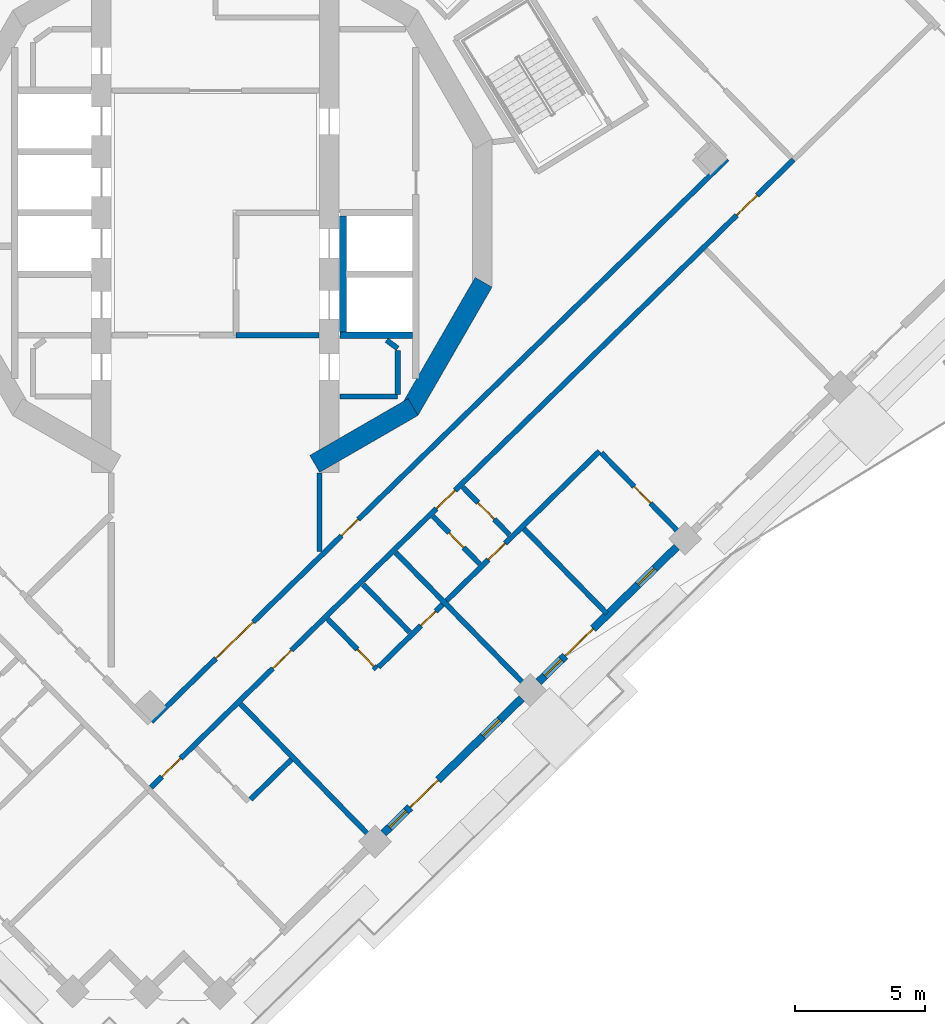
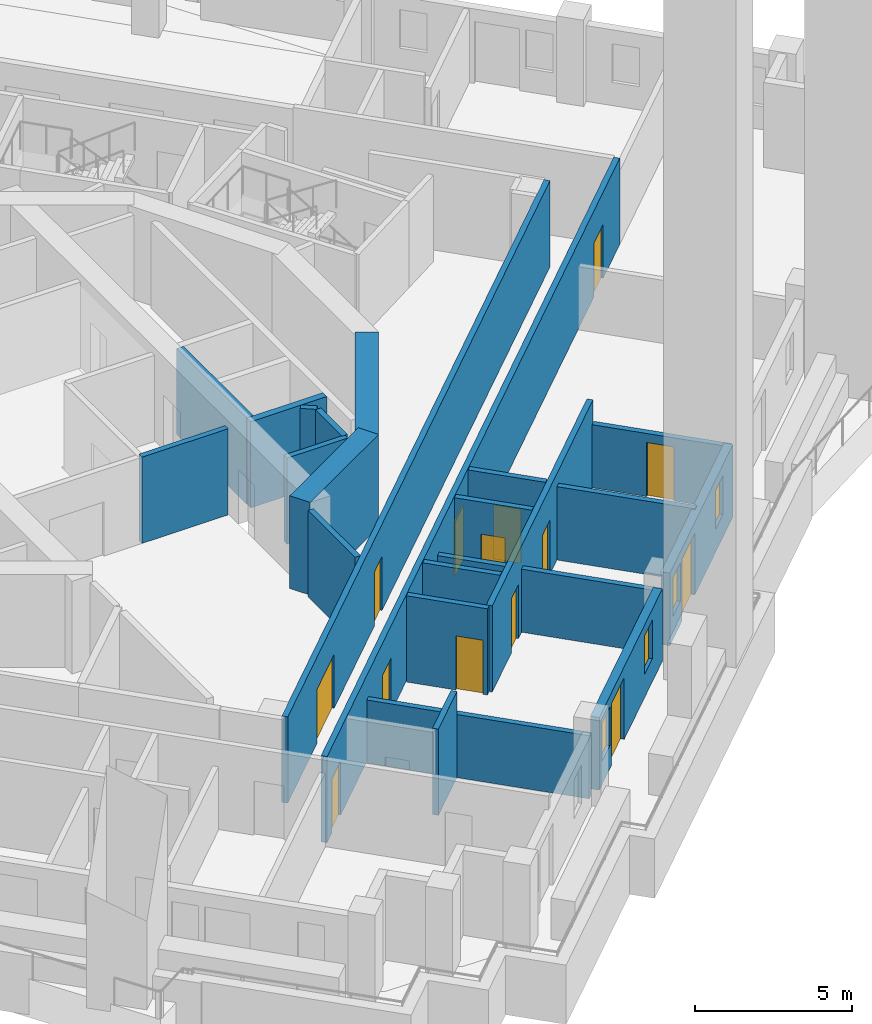
# One storey, part 5 of 17: 23 walls, 14 doors, 4 windows, 18 openings.
"""IFC4 building model written with IfcOpenShell, lengths in metres."""

from ifc_helpers import new_model, si_unit, direction, frame, frame_2d, origin, place, context, subcontext, project, spatial, rectangle, extrude, material, layer, layer_set, type_object, element, fill, save


model = new_model("IFC4")

# Units and contexts
model_context = context("Model", 3, precision=1e-05, world=origin(), true_north=direction((0.0, 1.0)))
body_context = subcontext(model_context, "Body", "Model", "MODEL_VIEW")
ifc_project = project(units=[si_unit("LENGTHUNIT", "METRE"), si_unit("AREAUNIT", "SQUARE_METRE"), si_unit("VOLUMEUNIT", "CUBIC_METRE"), si_unit("PLANEANGLEUNIT", "RADIAN"), si_unit("MASSUNIT", "GRAM", prefix="KILO")], contexts=[model_context])

# Site, building, storey
site_placement = place(None, origin())
site = spatial("IfcSite", under=ifc_project, at=site_placement, CompositionType="ELEMENT")
building_placement = place(site_placement, origin())
building = spatial("IfcBuilding", under=site, at=building_placement, Name="Cantera Rosa Tower", CompositionType="ELEMENT")
storey_placement = place(building_placement, frame((0.0, 0.0, 205.39990234375)))
storey = spatial("IfcBuildingStorey", under=building, at=storey_placement, Name="L43", CompositionType="ELEMENT", Elevation=205.39990234375)

# Wall, openings, doors
ifc_material_1 = material(Name="Gypsum board partition")
ifc_layer_1 = layer(ifc_material_1, 0.199951171875)
ifc_layer_set_1 = layer_set([ifc_layer_1], Name="CORRIDOR WALL 200 H3350")
wall_type_1 = type_object("IfcWallType", Name="CORRIDOR WALL 200 H3350", PredefinedType="PARTITIONING", material=ifc_layer_set_1)
wall_1_placement = place(storey_placement, frame((-2.469970703125, -22.0556640625, 0.0), z_axis=(0.0, 0.0, 1.0), x_axis=(0.715286619748, 0.698831203946, 0.0)))
wall_1 = element("IfcWall", 1, at=wall_1_placement, inside=storey, type_object=wall_type_1, Name="CORRIDOR WALL L43-062", PredefinedType="PARTITIONING", context=body_context, shape_type="SweptSolid", body=[
    extrude(rectangle(XDim=34.47998046875, YDim=0.199951171875, at=frame_2d((17.239990234375, 0.0))), origin(), (0.0, 0.0, 1.0), 3.35009765625),
])
opening_1_placement = place(wall_1_placement, frame((6.534912109375, 0.0, 0.0)))
opening_1 = element("IfcOpeningElement", 2, at=opening_1_placement, cuts=wall_1, Name="Opening L43-045", PredefinedType="OPENING", context=body_context, shape_type="SweptSolid", body=[
    extrude(rectangle(XDim=1.0, YDim=2.10009765625, at=frame_2d((0.5, 1.050048828125))), frame((0.0, 0.10986328125, 0.0), z_axis=(0.0, -1.0, 0.0), x_axis=(1.0, 0.0, 0.0)), (0.0, 0.0, 1.0), 0.219970703125),
])
opening_2_placement = place(wall_1_placement, frame((15.320068359375, 0.0, 0.0)))
opening_2 = element("IfcOpeningElement", 3, at=opening_2_placement, cuts=wall_1, Name="Opening L43-048", PredefinedType="OPENING", context=body_context, shape_type="SweptSolid", body=[
    extrude(rectangle(XDim=1.0, YDim=2.10009765625, at=frame_2d((0.5, 1.050048828125))), frame((0.0, 0.10986328125, 0.0), z_axis=(0.0, -1.0, 0.0), x_axis=(1.0, 0.0, 0.0)), (0.0, 0.0, 1.0), 0.219970703125),
])
opening_3_placement = place(wall_1_placement, frame((0.590087890625, 0.0, 0.0)))
opening_3 = element("IfcOpeningElement", 4, at=opening_3_placement, cuts=wall_1, Name="Opening L43-053", PredefinedType="OPENING", context=body_context, shape_type="SweptSolid", body=[
    extrude(rectangle(XDim=1.0, YDim=2.10009765625, at=frame_2d((0.5, 1.050048828125))), frame((0.0, 0.10986328125, 0.0), z_axis=(0.0, -1.0, 0.0), x_axis=(1.0, 0.0, 0.0)), (0.0, 0.0, 1.0), 0.219970703125),
])
opening_4_placement = place(wall_1_placement, frame((31.429931640625, 0.0, 0.0)))
opening_4 = element("IfcOpeningElement", 5, at=opening_4_placement, cuts=wall_1, Name="Opening L43-056", PredefinedType="OPENING", context=body_context, shape_type="SweptSolid", body=[
    extrude(rectangle(XDim=1.10009765625, YDim=2.10009765625, at=frame_2d((0.550048828125, 1.050048828125))), frame((0.0, 0.10986328125, 0.0), z_axis=(0.0, -1.0, 0.0), x_axis=(1.0, 0.0, 0.0)), (0.0, 0.0, 1.0), 0.219970703125),
])
ifc_material_2 = material(Name="Timber door leaf", Category="wood")
door_type_1 = type_object("IfcDoorType", Name="ENTRANCE DOOR 1000x2100", OperationType="NOTDEFINED", PredefinedType="DOOR", material=ifc_material_2)
door_1_placement = place(opening_1_placement, origin())
door_1 = element("IfcDoor", 6, at=door_1_placement, inside=storey, type_object=door_type_1, Name="DOOR L43-045", OperationType="NOTDEFINED", OverallHeight=2.10009765625, OverallWidth=1.0, PredefinedType="DOOR", context=body_context, shape_type="SweptSolid", body=[
    extrude(rectangle(XDim=1.0, YDim=2.10009765625, at=frame_2d((0.5, 1.050048828125))), frame((0.0, 0.02490234375, 0.0), z_axis=(0.0, -1.0, 0.0), x_axis=(1.0, 0.0, 0.0)), (0.0, 0.0, 1.0), 0.050048828125),
])
fill(opening_1, door_1)
door_2_placement = place(opening_2_placement, origin())
door_2 = element("IfcDoor", 7, at=door_2_placement, inside=storey, type_object=door_type_1, Name="DOOR L43-048", OperationType="NOTDEFINED", OverallHeight=2.10009765625, OverallWidth=1.0, PredefinedType="DOOR", context=body_context, shape_type="SweptSolid", body=[
    extrude(rectangle(XDim=1.0, YDim=2.10009765625, at=frame_2d((0.5, 1.050048828125))), frame((0.0, 0.02490234375, 0.0), z_axis=(0.0, -1.0, 0.0), x_axis=(1.0, 0.0, 0.0)), (0.0, 0.0, 1.0), 0.050048828125),
])
fill(opening_2, door_2)
door_3_placement = place(opening_3_placement, origin())
door_3 = element("IfcDoor", 8, at=door_3_placement, inside=storey, type_object=door_type_1, Name="DOOR L43-053", OperationType="NOTDEFINED", OverallHeight=2.10009765625, OverallWidth=1.0, PredefinedType="DOOR", context=body_context, shape_type="SweptSolid", body=[
    extrude(rectangle(XDim=1.0, YDim=2.10009765625, at=frame_2d((0.5, 1.050048828125))), frame((0.0, 0.02490234375, 0.0), z_axis=(0.0, -1.0, 0.0), x_axis=(1.0, 0.0, 0.0)), (0.0, 0.0, 1.0), 0.050048828125),
])
fill(opening_3, door_3)
ifc_material_3 = material(Name="Timber door leaf", Category="wood")
door_type_2 = type_object("IfcDoorType", Name="ROOM DOOR 1100x2100", OperationType="NOTDEFINED", PredefinedType="DOOR", material=ifc_material_3)
door_4_placement = place(opening_4_placement, origin())
door_4 = element("IfcDoor", 9, at=door_4_placement, inside=storey, type_object=door_type_2, Name="DOOR L43-056", OperationType="NOTDEFINED", OverallHeight=2.10009765625, OverallWidth=1.10009765625, PredefinedType="DOOR", context=body_context, shape_type="SweptSolid", body=[
    extrude(rectangle(XDim=1.10009765625, YDim=2.10009765625, at=frame_2d((0.550048828125, 1.050048828125))), frame((0.0, 0.02490234375, 0.0), z_axis=(0.0, -1.0, 0.0), x_axis=(1.0, 0.0, 0.0)), (0.0, 0.0, 1.0), 0.050048828125),
])
fill(opening_4, door_4)

wall_2_placement = place(storey_placement, frame((-2.45458984375, -19.5244140625, 0.0), z_axis=(0.0, 0.0, 1.0), x_axis=(0.715283867267, 0.698834021229, 0.0)))
wall_2 = element("IfcWall", 10, at=wall_2_placement, inside=storey, type_object=wall_type_1, Name="CORRIDOR WALL L43-063", PredefinedType="PARTITIONING", context=body_context, shape_type="SweptSolid", body=[
    extrude(rectangle(XDim=30.900146484375, YDim=0.199951171875, at=frame_2d((15.4501953125, 0.0))), origin(), (0.0, 0.0, 1.0), 3.35009765625),
])
opening_5_placement = place(wall_2_placement, frame((10.20458984375, 0.0, 0.0)))
opening_5 = element("IfcOpeningElement", 11, at=opening_5_placement, cuts=wall_2, Name="Opening L43-011", PredefinedType="OPENING", context=body_context, shape_type="SweptSolid", body=[
    extrude(rectangle(XDim=0.89990234375, YDim=2.10009765625, at=frame_2d((0.449951171875, 1.050048828125))), frame((0.0, 0.10986328125, 0.0), z_axis=(0.0, -1.0, 0.0), x_axis=(1.0, 0.0, 0.0)), (0.0, 0.0, 1.0), 0.219970703125),
])
opening_6_placement = place(wall_2_placement, frame((3.4619140625, 0.0, 0.0)))
opening_6 = element("IfcOpeningElement", 12, at=opening_6_placement, cuts=wall_2, Name="Opening L43-014", PredefinedType="OPENING", context=body_context, shape_type="SweptSolid", body=[
    extrude(rectangle(XDim=2.0, YDim=2.10009765625, at=frame_2d((1.0, 1.050048828125))), frame((0.0, 0.10986328125, 0.0), z_axis=(0.0, -1.0, 0.0), x_axis=(1.0, 0.0, 0.0)), (0.0, 0.0, 1.0), 0.219970703125),
])
ifc_material_4 = material(Name="Steel S355J2 (EN 10025-2)", Category="steel")
door_type_3 = type_object("IfcDoorType", Name="LOBBY SCREEN DOOR 2000x2100", OperationType="NOTDEFINED", PredefinedType="DOOR", material=ifc_material_4)
door_5_placement = place(opening_6_placement, origin())
door_5 = element("IfcDoor", 13, at=door_5_placement, inside=storey, type_object=door_type_3, Name="DOOR L43-014", OperationType="NOTDEFINED", OverallHeight=2.10009765625, OverallWidth=2.0, PredefinedType="DOOR", context=body_context, shape_type="SweptSolid", body=[
    extrude(rectangle(XDim=2.0, YDim=2.10009765625, at=frame_2d((1.0, 1.050048828125))), frame((0.0, 0.02490234375, 0.0), z_axis=(0.0, -1.0, 0.0), x_axis=(1.0, 0.0, 0.0)), (0.0, 0.0, 1.0), 0.050048828125),
])
fill(opening_6, door_5)
ifc_material_5 = material(Name="Timber door leaf", Category="wood")
door_type_4 = type_object("IfcDoorType", Name="SERVICE DOOR 900x2100", OperationType="NOTDEFINED", PredefinedType="DOOR", material=ifc_material_5)
door_6_placement = place(opening_5_placement, origin())
door_6 = element("IfcDoor", 14, at=door_6_placement, inside=storey, type_object=door_type_4, Name="DOOR L43-011", OperationType="NOTDEFINED", OverallHeight=2.10009765625, OverallWidth=0.89990234375, PredefinedType="DOOR", context=body_context, shape_type="SweptSolid", body=[
    extrude(rectangle(XDim=0.89990234375, YDim=2.10009765625, at=frame_2d((0.449951171875, 1.050048828125))), frame((0.0, 0.02490234375, 0.0), z_axis=(0.0, -1.0, 0.0), x_axis=(1.0, 0.0, 0.0)), (0.0, 0.0, 1.0), 0.050048828125),
])
fill(opening_5, door_6)

# Wall
wall_3_placement = place(storey_placement, frame((4.0, -12.998046875, 0.0), z_axis=(0.0, 0.0, 1.0), x_axis=(0.0, 1.0, 0.0)))
element("IfcWall", 15, at=wall_3_placement, inside=storey, type_object=wall_type_1, Name="CORRIDOR WALL L43-078", PredefinedType="PARTITIONING", context=body_context, shape_type="SweptSolid", body=[
    extrude(rectangle(XDim=3.00390625, YDim=0.199951171875, at=frame_2d((1.501953125, 0.0))), origin(), (0.0, 0.0, 1.0), 3.35009765625),
])

# Wall, openings, windows, door
ifc_material_6 = material(Name="Hollow clay masonry with cantera stone cladding", Category="masonry")
ifc_layer_2 = layer(ifc_material_6, 0.300048828125)
ifc_layer_set_2 = layer_set([ifc_layer_2], Name="EW-LOGGIA 300 H2820")
wall_type_2 = type_object("IfcWallType", Name="EW-LOGGIA 300 H2820", PredefinedType="SOLIDWALL", material=ifc_layer_set_2)
wall_4_placement = place(storey_placement, frame((6.454833984375, -23.8212890625, 0.0), z_axis=(0.0, 0.0, 1.0), x_axis=(0.715300826176, 0.698816662703, 0.0)))
wall_4 = element("IfcWall", 16, at=wall_4_placement, inside=storey, type_object=wall_type_2, Name="EN-L43-W22", PredefinedType="SOLIDWALL", context=body_context, shape_type="SweptSolid", body=[
    extrude(rectangle(XDim=7.420166015625, YDim=0.300048828125, at=frame_2d((3.7099609375, 0.0))), origin(), (0.0, 0.0, 1.0), 2.820068359375),
])
opening_7_placement = place(wall_4_placement, frame((0.330078125, 0.0, 0.89990234375)))
opening_7 = element("IfcOpeningElement", 17, at=opening_7_placement, cuts=wall_4, Name="Opening L43-W40", PredefinedType="OPENING", context=body_context, shape_type="SweptSolid", body=[
    extrude(rectangle(XDim=0.89990234375, YDim=1.5, at=frame_2d((0.449951171875, 0.75))), frame((0.0, 0.159912109375, 0.0), z_axis=(0.0, -1.0, 0.0), x_axis=(1.0, 0.0, 0.0)), (0.0, 0.0, 1.0), 0.320068359375),
])
opening_8_placement = place(wall_4_placement, frame((1.429931640625, 0.0, 0.0)))
opening_8 = element("IfcOpeningElement", 18, at=opening_8_placement, cuts=wall_4, Name="Opening L43-TD41", PredefinedType="OPENING", context=body_context, shape_type="SweptSolid", body=[
    extrude(rectangle(XDim=1.5, YDim=2.39990234375, at=frame_2d((0.75, 1.199951171875))), frame((0.0, 0.159912109375, 0.0), z_axis=(0.0, -1.0, 0.0), x_axis=(1.0, 0.0, 0.0)), (0.0, 0.0, 1.0), 0.320068359375),
])
opening_9_placement = place(wall_4_placement, frame((5.340087890625, 0.0, 0.89990234375)))
opening_9 = element("IfcOpeningElement", 19, at=opening_9_placement, cuts=wall_4, Name="Opening L43-W42", PredefinedType="OPENING", context=body_context, shape_type="SweptSolid", body=[
    extrude(rectangle(XDim=0.89990234375, YDim=1.5, at=frame_2d((0.449951171875, 0.75))), frame((0.0, 0.159912109375, 0.0), z_axis=(0.0, -1.0, 0.0), x_axis=(1.0, 0.0, 0.0)), (0.0, 0.0, 1.0), 0.320068359375),
])
ifc_material_7 = material(Name="Aluminium frame with clear glass", Category="aluminium")
window_type = type_object("IfcWindowType", Name="Residential window 900x1500", PartitioningType="SINGLE_PANEL", PredefinedType="WINDOW", material=ifc_material_7)
window_1_placement = place(opening_7_placement, origin())
window_1 = element("IfcWindow", 20, at=window_1_placement, inside=storey, type_object=window_type, Name="WINDOW L43-W40", OverallHeight=1.5, OverallWidth=0.89990234375, PartitioningType="SINGLE_PANEL", PredefinedType="WINDOW", context=body_context, shape_type="SweptSolid", body=[
    extrude(rectangle(XDim=0.89990234375, YDim=1.5, at=frame_2d((0.449951171875, 0.75))), frame((0.0, 0.030029296875, 0.0), z_axis=(0.0, -1.0, 0.0), x_axis=(1.0, 0.0, 0.0)), (0.0, 0.0, 1.0), 0.06005859375),
])
fill(opening_7, window_1)
window_2_placement = place(opening_9_placement, origin())
window_2 = element("IfcWindow", 21, at=window_2_placement, inside=storey, type_object=window_type, Name="WINDOW L43-W42", OverallHeight=1.5, OverallWidth=0.89990234375, PartitioningType="SINGLE_PANEL", PredefinedType="WINDOW", context=body_context, shape_type="SweptSolid", body=[
    extrude(rectangle(XDim=0.89990234375, YDim=1.5, at=frame_2d((0.449951171875, 0.75))), frame((0.0, 0.030029296875, 0.0), z_axis=(0.0, -1.0, 0.0), x_axis=(1.0, 0.0, 0.0)), (0.0, 0.0, 1.0), 0.06005859375),
])
fill(opening_9, window_2)
ifc_material_8 = material(Name="Aluminium frame with clear glass", Category="aluminium")
door_type_5 = type_object("IfcDoorType", Name="TD-R 1500x2400", OperationType="NOTDEFINED", PredefinedType="DOOR", material=ifc_material_8)
door_7_placement = place(opening_8_placement, origin())
door_7 = element("IfcDoor", 22, at=door_7_placement, inside=storey, type_object=door_type_5, Name="LOGGIA DOOR L43-TD41", OperationType="SLIDING_TO_LEFT", OverallHeight=2.39990234375, OverallWidth=1.5, PredefinedType="DOOR", context=body_context, shape_type="SweptSolid", body=[
    extrude(rectangle(XDim=1.5, YDim=2.39990234375, at=frame_2d((0.75, 1.199951171875))), frame((0.0, 0.02490234375, 0.0), z_axis=(0.0, -1.0, 0.0), x_axis=(1.0, 0.0, 0.0)), (0.0, 0.0, 1.0), 0.050048828125),
])
fill(opening_8, door_7)

wall_5_placement = place(storey_placement, frame((12.406005859375, -18.007080078125, 0.0), z_axis=(0.0, 0.0, 1.0), x_axis=(0.715300826176, 0.698816662703, 0.0)))
wall_5 = element("IfcWall", 23, at=wall_5_placement, inside=storey, type_object=wall_type_2, Name="EN-L43-W23", PredefinedType="SOLIDWALL", context=body_context, shape_type="SweptSolid", body=[
    extrude(rectangle(XDim=7.420166015625, YDim=0.300048828125, at=frame_2d((3.7099609375, 0.0))), origin(), (0.0, 0.0, 1.0), 2.820068359375),
])
opening_10_placement = place(wall_5_placement, frame((0.330078125, 0.0, 0.89990234375)))
opening_10 = element("IfcOpeningElement", 24, at=opening_10_placement, cuts=wall_5, Name="Opening L43-W43", PredefinedType="OPENING", context=body_context, shape_type="SweptSolid", body=[
    extrude(rectangle(XDim=0.89990234375, YDim=1.5, at=frame_2d((0.449951171875, 0.75))), frame((0.0, 0.159912109375, 0.0), z_axis=(0.0, -1.0, 0.0), x_axis=(1.0, 0.0, 0.0)), (0.0, 0.0, 1.0), 0.320068359375),
])
opening_11_placement = place(wall_5_placement, frame((1.429931640625, 0.0, 0.0)))
opening_11 = element("IfcOpeningElement", 25, at=opening_11_placement, cuts=wall_5, Name="Opening L43-TD44", PredefinedType="OPENING", context=body_context, shape_type="SweptSolid", body=[
    extrude(rectangle(XDim=1.5, YDim=2.39990234375, at=frame_2d((0.75, 1.199951171875))), frame((0.0, 0.159912109375, 0.0), z_axis=(0.0, -1.0, 0.0), x_axis=(1.0, 0.0, 0.0)), (0.0, 0.0, 1.0), 0.320068359375),
])
opening_12_placement = place(wall_5_placement, frame((5.340087890625, 0.0, 0.89990234375)))
opening_12 = element("IfcOpeningElement", 26, at=opening_12_placement, cuts=wall_5, Name="Opening L43-W45", PredefinedType="OPENING", context=body_context, shape_type="SweptSolid", body=[
    extrude(rectangle(XDim=0.89990234375, YDim=1.5, at=frame_2d((0.449951171875, 0.75))), frame((0.0, 0.159912109375, 0.0), z_axis=(0.0, -1.0, 0.0), x_axis=(1.0, 0.0, 0.0)), (0.0, 0.0, 1.0), 0.320068359375),
])
window_3_placement = place(opening_10_placement, origin())
window_3 = element("IfcWindow", 27, at=window_3_placement, inside=storey, type_object=window_type, Name="WINDOW L43-W43", OverallHeight=1.5, OverallWidth=0.89990234375, PartitioningType="SINGLE_PANEL", PredefinedType="WINDOW", context=body_context, shape_type="SweptSolid", body=[
    extrude(rectangle(XDim=0.89990234375, YDim=1.5, at=frame_2d((0.449951171875, 0.75))), frame((0.0, 0.030029296875, 0.0), z_axis=(0.0, -1.0, 0.0), x_axis=(1.0, 0.0, 0.0)), (0.0, 0.0, 1.0), 0.06005859375),
])
fill(opening_10, window_3)
window_4_placement = place(opening_12_placement, origin())
window_4 = element("IfcWindow", 28, at=window_4_placement, inside=storey, type_object=window_type, Name="WINDOW L43-W45", OverallHeight=1.5, OverallWidth=0.89990234375, PartitioningType="SINGLE_PANEL", PredefinedType="WINDOW", context=body_context, shape_type="SweptSolid", body=[
    extrude(rectangle(XDim=0.89990234375, YDim=1.5, at=frame_2d((0.449951171875, 0.75))), frame((0.0, 0.030029296875, 0.0), z_axis=(0.0, -1.0, 0.0), x_axis=(1.0, 0.0, 0.0)), (0.0, 0.0, 1.0), 0.06005859375),
])
fill(opening_12, window_4)
door_8_placement = place(opening_11_placement, origin())
door_8 = element("IfcDoor", 29, at=door_8_placement, inside=storey, type_object=door_type_5, Name="LOGGIA DOOR L43-TD44", OperationType="SLIDING_TO_LEFT", OverallHeight=2.39990234375, OverallWidth=1.5, PredefinedType="DOOR", context=body_context, shape_type="SweptSolid", body=[
    extrude(rectangle(XDim=1.5, YDim=2.39990234375, at=frame_2d((0.75, 1.199951171875))), frame((0.0, 0.02490234375, 0.0), z_axis=(0.0, -1.0, 0.0), x_axis=(1.0, 0.0, 0.0)), (0.0, 0.0, 1.0), 0.050048828125),
])
fill(opening_11, door_8)

# Wall, opening, door
ifc_material_9 = material(Name="Gypsum board partition")
ifc_layer_3 = layer(ifc_material_9, 0.199951171875)
ifc_layer_set_3 = layer_set([ifc_layer_3], Name="PARTITION 200 H2450")
wall_type_3 = type_object("IfcWallType", Name="PARTITION 200 H2450", PredefinedType="PARTITIONING", material=ifc_layer_set_3)
wall_6_placement = place(storey_placement, frame((14.82080078125, -9.217041015625, 0.0), z_axis=(0.0, 0.0, 1.0), x_axis=(0.698831711541, -0.71528612383, 0.0)))
wall_6 = element("IfcWall", 30, at=wall_6_placement, inside=storey, type_object=wall_type_3, Name="PARTITION L43-113", PredefinedType="PARTITIONING", context=body_context, shape_type="SweptSolid", body=[
    extrude(rectangle(XDim=4.56982421875, YDim=0.199951171875, at=frame_2d((2.284912109375, 0.0))), origin(), (0.0, 0.0, 1.0), 2.4501953125),
])
opening_13_placement = place(wall_6_placement, frame((1.800048828125, 0.0, 0.0)))
opening_13 = element("IfcOpeningElement", 31, at=opening_13_placement, cuts=wall_6, Name="Opening L43-052", PredefinedType="OPENING", context=body_context, shape_type="SweptSolid", body=[
    extrude(rectangle(XDim=0.89990234375, YDim=2.10009765625, at=frame_2d((0.449951171875, 1.050048828125))), frame((0.0, 0.10986328125, 0.0), z_axis=(0.0, -1.0, 0.0), x_axis=(1.0, 0.0, 0.0)), (0.0, 0.0, 1.0), 0.219970703125),
])
ifc_material_10 = material(Name="Timber door leaf", Category="wood")
door_type_6 = type_object("IfcDoorType", Name="ROOM DOOR 900x2100", OperationType="NOTDEFINED", PredefinedType="DOOR", material=ifc_material_10)
door_9_placement = place(opening_13_placement, origin())
door_9 = element("IfcDoor", 32, at=door_9_placement, inside=storey, type_object=door_type_6, Name="DOOR L43-052", OperationType="NOTDEFINED", OverallHeight=2.10009765625, OverallWidth=0.89990234375, PredefinedType="DOOR", context=body_context, shape_type="SweptSolid", body=[
    extrude(rectangle(XDim=0.89990234375, YDim=2.10009765625, at=frame_2d((0.449951171875, 1.050048828125))), frame((0.0, 0.02490234375, 0.0), z_axis=(0.0, -1.0, 0.0), x_axis=(1.0, 0.0, 0.0)), (0.0, 0.0, 1.0), 0.050048828125),
])
fill(opening_13, door_9)

# Walls
ifc_material_11 = material(Name="Gypsum board partition")
ifc_layer_4 = layer(ifc_material_11, 0.199951171875)
ifc_layer_set_4 = layer_set([ifc_layer_4], Name="PARTITION 200 H2850")
wall_type_4 = type_object("IfcWallType", Name="PARTITION 200 H2850", PredefinedType="PARTITIONING", material=ifc_layer_set_4)
wall_7_placement = place(storey_placement, frame((11.84521484375, -12.1240234375, 0.0), z_axis=(0.0, 0.0, 1.0), x_axis=(0.698805007599, -0.715312212502, 0.0)))
element("IfcWall", 33, at=wall_7_placement, inside=storey, type_object=wall_type_4, Name="PARTITION L43-107", PredefinedType="PARTITIONING", context=body_context, shape_type="SweptSolid", body=[
    extrude(rectangle(XDim=4.570068359375, YDim=0.199951171875, at=frame_2d((2.28515625, 0.0))), origin(), (0.0, 0.0, 1.0), 2.85009765625),
])
ifc_material_12 = material(Name="Gypsum board partition")
ifc_layer_5 = layer(ifc_material_12, 0.199951171875)
ifc_layer_set_5 = layer_set([ifc_layer_5], Name="PARTITION 200 H3350")
wall_type_5 = type_object("IfcWallType", Name="PARTITION 200 H3350", PredefinedType="PARTITIONING", material=ifc_layer_set_5)
wall_8_placement = place(storey_placement, frame((2.916748046875, -20.98681640625, 0.0), z_axis=(0.0, 0.0, 1.0), x_axis=(-0.715234272025, -0.69888478029, 0.0)))
element("IfcWall", 34, at=wall_8_placement, inside=storey, type_object=wall_type_5, Name="PARTITION L43-076", PredefinedType="PARTITIONING", context=body_context, shape_type="SweptSolid", body=[
    extrude(rectangle(XDim=2.18017578125, YDim=0.199951171875, at=frame_2d((1.090087890625, 0.0))), origin(), (0.0, 0.0, 1.0), 3.35009765625),
])

# Wall, opening, door
wall_9_placement = place(storey_placement, frame((6.18896484375, -17.510498046875, 0.0), z_axis=(0.0, 0.0, 1.0), x_axis=(-0.698814330011, 0.715303105104, 0.0)))
wall_9 = element("IfcWall", 35, at=wall_9_placement, inside=storey, type_object=wall_type_5, Name="PARTITION L43-087", PredefinedType="PARTITIONING", context=body_context, shape_type="SweptSolid", body=[
    extrude(rectangle(XDim=2.679931640625, YDim=0.199951171875, at=frame_2d((1.33984375, 0.0))), origin(), (0.0, 0.0, 1.0), 3.35009765625),
])
opening_14_placement = place(wall_9_placement, frame((0.14990234375, 0.0, 0.0)))
opening_14 = element("IfcOpeningElement", 36, at=opening_14_placement, cuts=wall_9, Name="Opening L43-047", PredefinedType="OPENING", context=body_context, shape_type="SweptSolid", body=[
    extrude(rectangle(XDim=0.89990234375, YDim=2.10009765625, at=frame_2d((0.449951171875, 1.050048828125))), frame((0.0, 0.10986328125, 0.0), z_axis=(0.0, -1.0, 0.0), x_axis=(1.0, 0.0, 0.0)), (0.0, 0.0, 1.0), 0.219970703125),
])
door_10_placement = place(opening_14_placement, origin())
door_10 = element("IfcDoor", 37, at=door_10_placement, inside=storey, type_object=door_type_6, Name="DOOR L43-047", OperationType="NOTDEFINED", OverallHeight=2.10009765625, OverallWidth=0.89990234375, PredefinedType="DOOR", context=body_context, shape_type="SweptSolid", body=[
    extrude(rectangle(XDim=0.89990234375, YDim=2.10009765625, at=frame_2d((0.449951171875, 1.050048828125))), frame((0.0, 0.02490234375, 0.0), z_axis=(0.0, -1.0, 0.0), x_axis=(1.0, 0.0, 0.0)), (0.0, 0.0, 1.0), 0.050048828125),
])
fill(opening_14, door_10)

# Walls
wall_10_placement = place(storey_placement, frame((6.572509765625, -4.888427734375, 0.0), z_axis=(0.0, 0.0, 1.0), x_axis=(0.808176867567, -0.588939853236, 0.0)))
element("IfcWall", 38, at=wall_10_placement, inside=storey, type_object=wall_type_5, Name="PARTITION L43-088", PredefinedType="PARTITIONING", context=body_context, shape_type="SweptSolid", body=[
    extrude(rectangle(XDim=0.529052734375, YDim=0.199951171875, at=frame_2d((0.2646484375, 0.0))), origin(), (0.0, 0.0, 1.0), 3.35009765625),
])
wall_11_placement = place(storey_placement, frame((7.0, -7.050048828125, 0.0), z_axis=(0.0, 0.0, 1.0), x_axis=(-1.0, 0.0, 0.0)))
element("IfcWall", 39, at=wall_11_placement, inside=storey, type_object=wall_type_5, Name="PARTITION L43-091", PredefinedType="PARTITIONING", context=body_context, shape_type="SweptSolid", body=[
    extrude(rectangle(XDim=2.219970703125, YDim=0.199951171875, at=frame_2d((1.10986328125, 0.0))), origin(), (0.0, 0.0, 1.0), 3.35009765625),
])
wall_12_placement = place(storey_placement, frame((7.0, -5.280029296875, 0.0), z_axis=(0.0, 0.0, 1.0), x_axis=(0.0, -1.0, 0.0)))
element("IfcWall", 40, at=wall_12_placement, inside=storey, type_object=wall_type_5, Name="PARTITION L43-092", PredefinedType="PARTITIONING", context=body_context, shape_type="SweptSolid", body=[
    extrude(rectangle(XDim=1.68994140625, YDim=0.199951171875, at=frame_2d((0.844970703125, 0.0))), origin(), (0.0, 0.0, 1.0), 3.35009765625),
])
wall_13_placement = place(storey_placement, frame((7.464111328125, -16.0966796875, 0.0), z_axis=(0.0, 0.0, 1.0), x_axis=(-0.698857556493, 0.715260872502, 0.0)))
element("IfcWall", 41, at=wall_13_placement, inside=storey, type_object=wall_type_5, Name="PARTITION L43-095", PredefinedType="PARTITIONING", context=body_context, shape_type="SweptSolid", body=[
    extrude(rectangle(XDim=2.56005859375, YDim=0.199951171875, at=frame_2d((1.280029296875, 0.0))), origin(), (0.0, 0.0, 1.0), 3.35009765625),
])

# Wall, opening, door
wall_14_placement = place(storey_placement, frame((8.357421875, -11.64501953125, 0.0), z_axis=(0.0, 0.0, 1.0), x_axis=(0.698809886965, -0.715307445705, 0.0)))
wall_14 = element("IfcWall", 42, at=wall_14_placement, inside=storey, type_object=wall_type_5, Name="PARTITION L43-099", PredefinedType="PARTITIONING", context=body_context, shape_type="SweptSolid", body=[
    extrude(rectangle(XDim=2.56005859375, YDim=0.199951171875, at=frame_2d((1.280029296875, 0.0))), origin(), (0.0, 0.0, 1.0), 3.35009765625),
])
opening_15_placement = place(wall_14_placement, frame((0.8798828125, 0.0, 0.0)))
opening_15 = element("IfcOpeningElement", 43, at=opening_15_placement, cuts=wall_14, Name="Opening L43-049", PredefinedType="OPENING", context=body_context, shape_type="SweptSolid", body=[
    extrude(rectangle(XDim=0.800048828125, YDim=2.10009765625, at=frame_2d((0.39990234375, 1.050048828125))), frame((0.0, 0.10986328125, 0.0), z_axis=(0.0, -1.0, 0.0), x_axis=(1.0, 0.0, 0.0)), (0.0, 0.0, 1.0), 0.219970703125),
])
ifc_material_13 = material(Name="Timber door leaf", Category="wood")
door_type_7 = type_object("IfcDoorType", Name="BATHROOM DOOR 800x2100", OperationType="NOTDEFINED", PredefinedType="DOOR", material=ifc_material_13)
door_11_placement = place(opening_15_placement, origin())
door_11 = element("IfcDoor", 44, at=door_11_placement, inside=storey, type_object=door_type_7, Name="DOOR L43-049", OperationType="NOTDEFINED", OverallHeight=2.10009765625, OverallWidth=0.800048828125, PredefinedType="DOOR", context=body_context, shape_type="SweptSolid", body=[
    extrude(rectangle(XDim=0.800048828125, YDim=2.10009765625, at=frame_2d((0.39990234375, 1.050048828125))), frame((0.0, 0.02490234375, 0.0), z_axis=(0.0, -1.0, 0.0), x_axis=(1.0, 0.0, 0.0)), (0.0, 0.0, 1.0), 0.050048828125),
])
fill(opening_15, door_11)

wall_15_placement = place(storey_placement, frame((9.501953125, -10.527099609375, 0.0), z_axis=(0.0, 0.0, 1.0), x_axis=(0.698857556493, -0.715260872502, 0.0)))
wall_15 = element("IfcWall", 45, at=wall_15_placement, inside=storey, type_object=wall_type_5, Name="PARTITION L43-102", PredefinedType="PARTITIONING", context=body_context, shape_type="SweptSolid", body=[
    extrude(rectangle(XDim=2.56005859375, YDim=0.199951171875, at=frame_2d((1.280029296875, 0.0))), origin(), (0.0, 0.0, 1.0), 3.35009765625),
])
opening_16_placement = place(wall_15_placement, frame((0.830078125, 0.0, 0.0)))
opening_16 = element("IfcOpeningElement", 46, at=opening_16_placement, cuts=wall_15, Name="Opening L43-050", PredefinedType="OPENING", context=body_context, shape_type="SweptSolid", body=[
    extrude(rectangle(XDim=0.89990234375, YDim=2.10009765625, at=frame_2d((0.449951171875, 1.050048828125))), frame((0.0, 0.10986328125, 0.0), z_axis=(0.0, -1.0, 0.0), x_axis=(1.0, 0.0, 0.0)), (0.0, 0.0, 1.0), 0.219970703125),
])
door_12_placement = place(opening_16_placement, origin())
door_12 = element("IfcDoor", 47, at=door_12_placement, inside=storey, type_object=door_type_6, Name="DOOR L43-050", OperationType="NOTDEFINED", OverallHeight=2.10009765625, OverallWidth=0.89990234375, PredefinedType="DOOR", context=body_context, shape_type="SweptSolid", body=[
    extrude(rectangle(XDim=0.89990234375, YDim=2.10009765625, at=frame_2d((0.449951171875, 1.050048828125))), frame((0.0, 0.02490234375, 0.0), z_axis=(0.0, -1.0, 0.0), x_axis=(1.0, 0.0, 0.0)), (0.0, 0.0, 1.0), 0.050048828125),
])
fill(opening_16, door_12)

# Wall, openings, doors
wall_16_placement = place(storey_placement, frame((14.7509765625, -9.1455078125, 0.0), z_axis=(0.0, 0.0, 1.0), x_axis=(-0.715286034757, -0.698831802712, 0.0)))
wall_16 = element("IfcWall", 48, at=wall_16_placement, inside=storey, type_object=wall_type_5, Name="PARTITION L43-112", PredefinedType="PARTITIONING", context=body_context, shape_type="SweptSolid", body=[
    extrude(rectangle(XDim=11.8701171875, YDim=0.199951171875, at=frame_2d((5.93505859375, 0.0))), origin(), (0.0, 0.0, 1.0), 3.35009765625),
])
opening_17_placement = place(wall_16_placement, frame((8.794921875, 0.0, 0.0)))
opening_17 = element("IfcOpeningElement", 49, at=opening_17_placement, cuts=wall_16, Name="Opening L43-046", PredefinedType="OPENING", context=body_context, shape_type="SweptSolid", body=[
    extrude(rectangle(XDim=0.800048828125, YDim=2.10009765625, at=frame_2d((0.39990234375, 1.050048828125))), frame((0.0, 0.10986328125, 0.0), z_axis=(0.0, -1.0, 0.0), x_axis=(1.0, 0.0, 0.0)), (0.0, 0.0, 1.0), 0.219970703125),
])
opening_18_placement = place(wall_16_placement, frame((5.070068359375, 0.0, 0.0)))
opening_18 = element("IfcOpeningElement", 50, at=opening_18_placement, cuts=wall_16, Name="Opening L43-051", PredefinedType="OPENING", context=body_context, shape_type="SweptSolid", body=[
    extrude(rectangle(XDim=0.89990234375, YDim=2.10009765625, at=frame_2d((0.449951171875, 1.050048828125))), frame((0.0, 0.10986328125, 0.0), z_axis=(0.0, -1.0, 0.0), x_axis=(1.0, 0.0, 0.0)), (0.0, 0.0, 1.0), 0.219970703125),
])
door_13_placement = place(opening_17_placement, origin())
door_13 = element("IfcDoor", 51, at=door_13_placement, inside=storey, type_object=door_type_7, Name="DOOR L43-046", OperationType="NOTDEFINED", OverallHeight=2.10009765625, OverallWidth=0.800048828125, PredefinedType="DOOR", context=body_context, shape_type="SweptSolid", body=[
    extrude(rectangle(XDim=0.800048828125, YDim=2.10009765625, at=frame_2d((0.39990234375, 1.050048828125))), frame((0.0, 0.02490234375, 0.0), z_axis=(0.0, -1.0, 0.0), x_axis=(1.0, 0.0, 0.0)), (0.0, 0.0, 1.0), 0.050048828125),
])
fill(opening_17, door_13)
door_14_placement = place(opening_18_placement, origin())
door_14 = element("IfcDoor", 52, at=door_14_placement, inside=storey, type_object=door_type_6, Name="DOOR L43-051", OperationType="NOTDEFINED", OverallHeight=2.10009765625, OverallWidth=0.89990234375, PredefinedType="DOOR", context=body_context, shape_type="SweptSolid", body=[
    extrude(rectangle(XDim=0.89990234375, YDim=2.10009765625, at=frame_2d((0.449951171875, 1.050048828125))), frame((0.0, 0.02490234375, 0.0), z_axis=(0.0, -1.0, 0.0), x_axis=(1.0, 0.0, 0.0)), (0.0, 0.0, 1.0), 0.050048828125),
])
fill(opening_18, door_14)

# Walls
ifc_material_14 = material(Name="Gypsum board partition")
ifc_layer_6 = layer(ifc_material_14, 0.199951171875)
ifc_layer_set_6 = layer_set([ifc_layer_6], Name="PARTY WALL 200 H2450")
wall_type_6 = type_object("IfcWallType", Name="PARTY WALL 200 H2450", PredefinedType="PARTITIONING", material=ifc_layer_set_6)
wall_17_placement = place(storey_placement, frame((6.112060546875, -24.114501953125, 0.0), z_axis=(0.0, 0.0, 1.0), x_axis=(-0.698821349183, 0.715296247667, 0.0)))
element("IfcWall", 53, at=wall_17_placement, inside=storey, type_object=wall_type_6, Name="PARTY WALL L43-086", PredefinedType="PARTITIONING", context=body_context, shape_type="SweptSolid", body=[
    extrude(rectangle(XDim=7.35009765625, YDim=0.199951171875, at=frame_2d((3.675048828125, 0.0))), origin(), (0.0, 0.0, 1.0), 2.4501953125),
])
wall_18_placement = place(storey_placement, frame((6.927001953125, -13.042724609375, 0.0), z_axis=(0.0, 0.0, 1.0), x_axis=(0.698820957739, -0.715296630095, 0.0)))
element("IfcWall", 54, at=wall_18_placement, inside=storey, type_object=wall_type_6, Name="PARTY WALL L43-089", PredefinedType="PARTITIONING", context=body_context, shape_type="SweptSolid", body=[
    extrude(rectangle(XDim=7.349853515625, YDim=0.199951171875, at=frame_2d((3.6748046875, 0.0))), origin(), (0.0, 0.0, 1.0), 2.4501953125),
])
ifc_material_15 = material(Name="Concrete C60/75", Category="concrete")
ifc_layer_7 = layer(ifc_material_15, 0.75)
ifc_layer_set_7 = layer_set([ifc_layer_7], Name="RC CORE WALL 750 C60/75")
wall_type_7 = type_object("IfcWallType", Name="RC CORE WALL 750 C60/75", PredefinedType="SHEAR", material=ifc_layer_set_7)
wall_19_placement = place(storey_placement, frame((10.300537109375, -2.659423828125, 0.0), z_axis=(0.0, 0.0, 1.0), x_axis=(-0.500021842983, -0.866012792365, 0.0)))
element("IfcWall", 55, at=wall_19_placement, inside=storey, type_object=wall_type_7, Name="CW-E4 L43", PredefinedType="SHEAR", context=body_context, shape_type="SweptSolid", body=[
    extrude(rectangle(XDim=5.694091796875, YDim=0.75, at=frame_2d((2.84716796875, 0.0))), origin(), (0.0, 0.0, 1.0), 3.60009765625),
])
wall_20_placement = place(storey_placement, frame((7.590576171875, -7.453369140625, 0.0), z_axis=(0.0, 0.0, 1.0), x_axis=(-0.866013176292, -0.50002117804, 0.0)))
element("IfcWall", 56, at=wall_20_placement, inside=storey, type_object=wall_type_7, Name="CW-E5 L43", PredefinedType="SHEAR", context=body_context, shape_type="SweptSolid", body=[
    extrude(rectangle(XDim=4.362548828125, YDim=0.75, at=frame_2d((2.18115234375, 0.0))), origin(), (0.0, 0.0, 1.0), 3.60009765625),
])
ifc_material_16 = material(Name="Masonry blockwork", Category="masonry")
ifc_layer_8 = layer(ifc_material_16, 0.25)
ifc_layer_set_8 = layer_set([ifc_layer_8], Name="SHAFT WALL 250 H3350")
wall_type_8 = type_object("IfcWallType", Name="SHAFT WALL 250 H3350", PredefinedType="SOLIDWALL", material=ifc_layer_set_8)
wall_21_placement = place(storey_placement, frame((4.89990234375, -0.125, 0.0), z_axis=(0.0, 0.0, 1.0), x_axis=(0.0, -1.0, 0.0)))
element("IfcWall", 57, at=wall_21_placement, inside=storey, type_object=wall_type_8, Name="SHAFT WALL L43-085", PredefinedType="SOLIDWALL", context=body_context, shape_type="SweptSolid", body=[
    extrude(rectangle(XDim=4.449951171875, YDim=0.25, at=frame_2d((2.22509765625, 0.0))), origin(), (0.0, 0.0, 1.0), 3.35009765625),
])
wall_22_placement = place(storey_placement, frame((7.574951171875, -4.699951171875, 0.0), z_axis=(0.0, 0.0, 1.0), x_axis=(-1.0, 0.0, 0.0)))
element("IfcWall", 58, at=wall_22_placement, inside=storey, type_object=wall_type_8, Name="SHAFT WALL L43-097", PredefinedType="SOLIDWALL", context=body_context, shape_type="SweptSolid", body=[
    extrude(rectangle(XDim=2.794921875, YDim=0.25, at=frame_2d((1.3974609375, 0.0))), origin(), (0.0, 0.0, 1.0), 3.35009765625),
])
ifc_material_17 = material(Name="Concrete C50/60", Category="concrete")
ifc_layer_9 = layer(ifc_material_17, 0.199951171875)
ifc_layer_set_9 = layer_set([ifc_layer_9], Name="STAIR WALL 200 H3350")
wall_type_9 = type_object("IfcWallType", Name="STAIR WALL 200 H3350", PredefinedType="SOLIDWALL", material=ifc_layer_set_9)
wall_23_placement = place(storey_placement, frame((3.969970703125, -4.699951171875, 0.0), z_axis=(0.0, 0.0, 1.0), x_axis=(-1.0, 0.0, 0.0)))
element("IfcWall", 59, at=wall_23_placement, inside=storey, type_object=wall_type_9, Name="STAIR WALL L43-077", PredefinedType="SOLIDWALL", context=body_context, shape_type="SweptSolid", body=[
    extrude(rectangle(XDim=3.169921875, YDim=0.199951171875, at=frame_2d((1.5849609375, 0.0))), origin(), (0.0, 0.0, 1.0), 3.35009765625),
])

save(model, "model.ifc")
